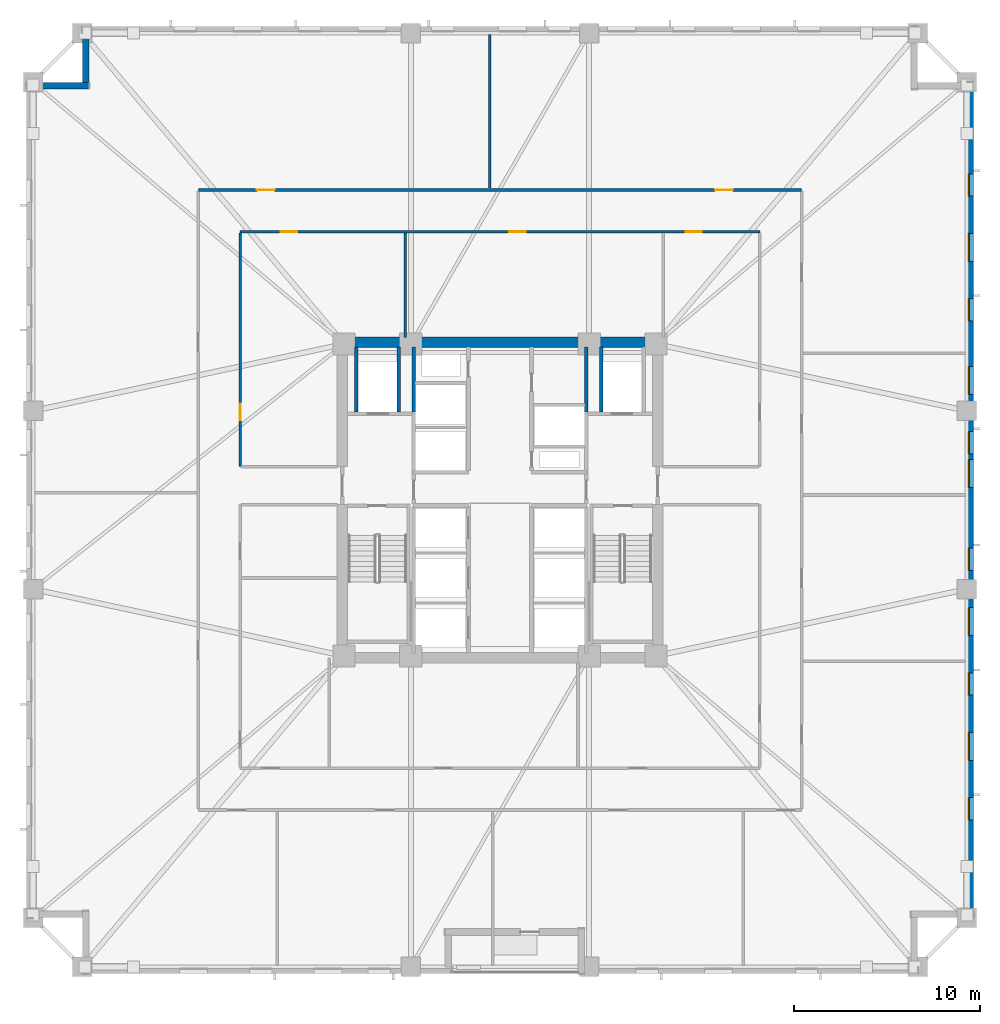
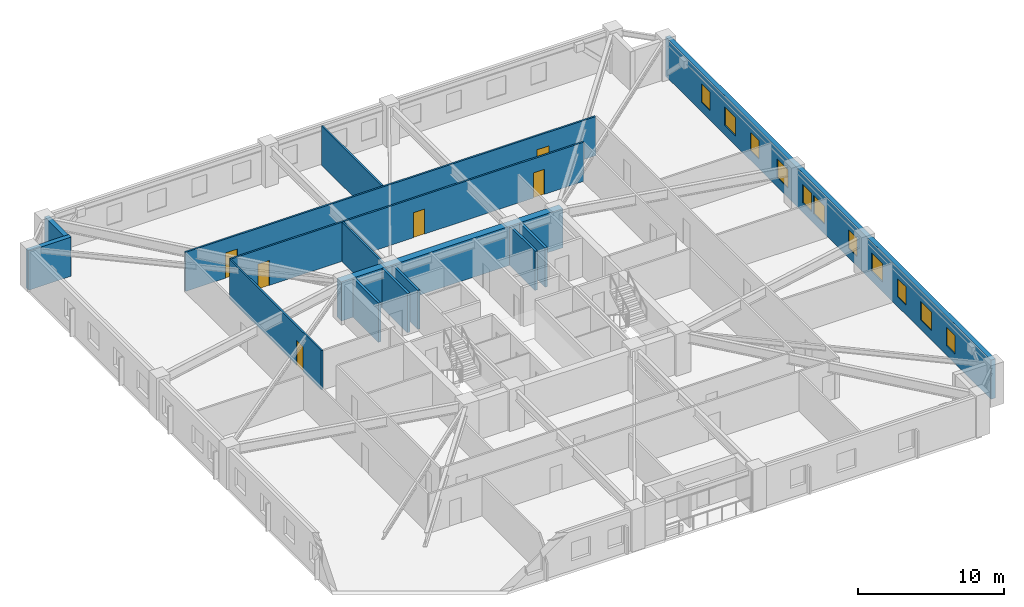
# One storey, part 5 of 11: 14 walls, 11 windows, 6 doors, 17 openings.
"""IFC4 building model written with IfcOpenShell, lengths in metres."""

from ifc_helpers import new_model, si_unit, direction, frame, frame_2d, origin, place, context, subcontext, project, spatial, rectangle, extrude, material, layer, layer_set, type_object, element, fill, save


model = new_model("IFC4")

# Units and contexts
model_context = context("Model", 3, precision=1e-05, world=origin(), true_north=direction((0.0, 1.0)))
body_context = subcontext(model_context, "Body", "Model", "MODEL_VIEW")
ifc_project = project(units=[si_unit("LENGTHUNIT", "METRE"), si_unit("AREAUNIT", "SQUARE_METRE"), si_unit("VOLUMEUNIT", "CUBIC_METRE"), si_unit("PLANEANGLEUNIT", "RADIAN"), si_unit("MASSUNIT", "GRAM", prefix="KILO")], contexts=[model_context])

# Site, building, storey
site_placement = place(None, origin())
site = spatial("IfcSite", under=ifc_project, at=site_placement, CompositionType="ELEMENT")
building_placement = place(site_placement, origin())
building = spatial("IfcBuilding", under=site, at=building_placement, Name="Cairnveth Concourse Tower", CompositionType="ELEMENT")
storey_placement = place(building_placement, frame((0.0, 0.0, 41.0)))
storey = spatial("IfcBuildingStorey", under=building, at=storey_placement, Name="L10", CompositionType="ELEMENT", Elevation=41.0)

# Walls
ifc_material_1 = material(Name="Concrete N80 (80 MPa)", Category="concrete")
ifc_layer_1 = layer(ifc_material_1, 0.550048828125)
ifc_layer_set_1 = layer_set([ifc_layer_1], Name="Concrete N80 (80 MPa)")
wall_type_1 = type_object("IfcWallType", Name="CORE SHEAR WALL 550", PredefinedType="SHEAR", material=ifc_layer_set_1)
wall_1_placement = place(storey_placement, frame((43.22509765625, 47.5, 0.0), z_axis=(0.0, 0.0, 1.0), x_axis=(1.0, 0.0, 0.0)))
element("IfcWall", 1, at=wall_1_placement, inside=storey, type_object=wall_type_1, Name="Core North Shear Wall L10", PredefinedType="SHEAR", context=body_context, shape_type="SweptSolid", body=[
    extrude(rectangle(XDim=17.5498046875, YDim=0.550048828125, at=frame_2d((8.77490234375, 0.0))), origin(), (0.0, 0.0, 1.0), 3.280029296875),
])
ifc_material_2 = material(Name="Concrete N50 (50 MPa)", Category="concrete")
ifc_layer_2 = layer(ifc_material_2, 0.179931640625)
ifc_layer_set_2 = layer_set([ifc_layer_2], Name="Concrete N50 (50 MPa)")
wall_type_2 = type_object("IfcWallType", Name="FIRE SHAFT WALL 180", PredefinedType="SOLIDWALL", material=ifc_layer_set_2)
for number, where, z_axis, x_axis, name in (
    (2, (47.35009765625, 43.735107421875, 0.0), (0.0, 0.0, 1.0), (0.0, 1.0, 0.0), "Interior Wall IW-L10-031"),
    (3, (56.64990234375, 43.735107421875, 0.0), (0.0, 0.0, 1.0), (0.0, 1.0, 0.0), "Interior Wall IW-L10-034"),
):
    element("IfcWall", number, at=place(storey_placement, frame(where, z_axis=z_axis, x_axis=x_axis)), inside=storey, type_object=wall_type_2, Name=name, PredefinedType="SOLIDWALL", context=body_context, shape_type="SweptSolid", body=[
        extrude(rectangle(XDim=3.5048828125, YDim=0.179931640625, at=frame_2d((1.75244140625, 0.0))), origin(), (0.0, 0.0, 1.0), 3.280029296875),
    ])
ifc_layer_3 = layer(ifc_material_2, 0.199951171875)
ifc_layer_set_3 = layer_set([ifc_layer_3], Name="Concrete N50 (50 MPa)")
wall_type_3 = type_object("IfcWallType", Name="FIRE SHAFT WALL 200", PredefinedType="SOLIDWALL", material=ifc_layer_set_3)
for number, where, z_axis, x_axis, name in (
    (4, (46.550048828125, 43.735107421875, 0.0), (0.0, 0.0, 1.0), (0.0, 1.0, 0.0), "Interior Wall IW-L10-018"),
    (5, (44.25, 43.735107421875, 0.0), (0.0, 0.0, 1.0), (0.0, 1.0, 0.0), "Interior Wall IW-L10-019"),
    (6, (57.449951171875, 43.735107421875, 0.0), (0.0, 0.0, 1.0), (0.0, 1.0, 0.0), "Interior Wall IW-L10-023"),
):
    element("IfcWall", number, at=place(storey_placement, frame(where, z_axis=z_axis, x_axis=x_axis)), inside=storey, type_object=wall_type_3, Name=name, PredefinedType="SOLIDWALL", context=body_context, shape_type="SweptSolid", body=[
        extrude(rectangle(XDim=3.5048828125, YDim=0.199951171875, at=frame_2d((1.75244140625, 0.0))), origin(), (0.0, 0.0, 1.0), 3.280029296875),
    ])

# Wall, openings, doors
ifc_material_3 = material(Name="Gypsum Plasterboard Partition", Category="gypsum")
ifc_layer_4 = layer(ifc_material_3, 0.139892578125)
ifc_layer_set_4 = layer_set([ifc_layer_4], Name="Gypsum Plasterboard Partition")
wall_type_4 = type_object("IfcWallType", Name="GYPSUM STUD PARTITION 140", PredefinedType="PARTITIONING", material=ifc_layer_set_4)
wall_2_placement = place(storey_placement, frame((35.75, 55.699951171875, 0.0), z_axis=(0.0, 0.0, 1.0), x_axis=(1.0, 0.0, 0.0)))
wall_2 = element("IfcWall", 7, at=wall_2_placement, inside=storey, type_object=wall_type_4, Name="Interior Wall IW-L10-038", PredefinedType="PARTITIONING", context=body_context, shape_type="SweptSolid", body=[
    extrude(rectangle(XDim=32.5, YDim=0.139892578125, at=frame_2d((16.25, 0.0))), origin(), (0.0, 0.0, 1.0), 3.280029296875),
])
opening_1_placement = place(wall_2_placement, frame((3.15380859375, 0.0, 0.0)))
opening_1 = element("IfcOpeningElement", 8, at=opening_1_placement, cuts=wall_2, Name="Opening ID11", PredefinedType="OPENING", context=body_context, shape_type="SweptSolid", body=[
    extrude(rectangle(XDim=0.9599609375, YDim=2.1201171875, at=frame_2d((0.47998046875, 1.06005859375))), frame((0.0, 0.079833984375, 0.0), z_axis=(0.0, -1.0, 0.0), x_axis=(1.0, 0.0, 0.0)), (0.0, 0.0, 1.0), 0.159912109375),
])
opening_2_placement = place(wall_2_placement, frame((27.833740234375, 0.0, 0.0)))
opening_2 = element("IfcOpeningElement", 9, at=opening_2_placement, cuts=wall_2, Name="Opening ID11", PredefinedType="OPENING", context=body_context, shape_type="SweptSolid", body=[
    extrude(rectangle(XDim=0.9599609375, YDim=2.1201171875, at=frame_2d((0.47998046875, 1.06005859375))), frame((0.0, 0.079833984375, 0.0), z_axis=(0.0, -1.0, 0.0), x_axis=(1.0, 0.0, 0.0)), (0.0, 0.0, 1.0), 0.159912109375),
])
ifc_material_4 = material(Name="Solid Core Hardwood Timber Leaf", Category="wood")
door_type_1 = type_object("IfcDoorType", Name="INTERIOR SINGLE DOOR 960X2150", OperationType="NOTDEFINED", PredefinedType="DOOR", material=ifc_material_4)
door_1_placement = place(opening_1_placement, origin())
door_1 = element("IfcDoor", 10, at=door_1_placement, inside=storey, type_object=door_type_1, Name="Office Door L10-N1", OperationType="SINGLE_SWING_RIGHT", OverallHeight=2.1201171875, OverallWidth=0.9599609375, PredefinedType="DOOR", context=body_context, shape_type="SweptSolid", body=[
    extrude(rectangle(XDim=0.9599609375, YDim=2.1201171875, at=frame_2d((0.47998046875, 1.06005859375))), frame((0.0, 0.02490234375, 0.0), z_axis=(0.0, -1.0, 0.0), x_axis=(1.0, 0.0, 0.0)), (0.0, 0.0, 1.0), 0.050048828125),
])
fill(opening_1, door_1)
door_2_placement = place(opening_2_placement, origin())
door_2 = element("IfcDoor", 11, at=door_2_placement, inside=storey, type_object=door_type_1, Name="Office Door L10-N2", OperationType="SINGLE_SWING_LEFT", OverallHeight=2.1201171875, OverallWidth=0.9599609375, PredefinedType="DOOR", context=body_context, shape_type="SweptSolid", body=[
    extrude(rectangle(XDim=0.9599609375, YDim=2.1201171875, at=frame_2d((0.47998046875, 1.06005859375))), frame((0.0, 0.02490234375, 0.0), z_axis=(0.0, -1.0, 0.0), x_axis=(1.0, 0.0, 0.0)), (0.0, 0.0, 1.0), 0.050048828125),
])
fill(opening_2, door_2)

wall_3_placement = place(storey_placement, frame((38.0, 53.449951171875, 0.0), z_axis=(0.0, 0.0, 1.0), x_axis=(1.0, 0.0, 0.0)))
wall_3 = element("IfcWall", 12, at=wall_3_placement, inside=storey, type_object=wall_type_4, Name="Interior Wall IW-L10-042", PredefinedType="PARTITIONING", context=body_context, shape_type="SweptSolid", body=[
    extrude(rectangle(XDim=28.0, YDim=0.139892578125, at=frame_2d((14.0, 0.0))), origin(), (0.0, 0.0, 1.0), 3.280029296875),
])
opening_3_placement = place(wall_3_placement, frame((2.199951171875, 0.0, 0.0)))
opening_3 = element("IfcOpeningElement", 13, at=opening_3_placement, cuts=wall_3, Name="Opening ID18", PredefinedType="OPENING", context=body_context, shape_type="SweptSolid", body=[
    extrude(rectangle(XDim=0.8798828125, YDim=2.10009765625, at=frame_2d((0.43994140625, 1.050048828125))), frame((0.0, 0.079833984375, 0.0), z_axis=(0.0, -1.0, 0.0), x_axis=(1.0, 0.0, 0.0)), (0.0, 0.0, 1.0), 0.159912109375),
])
opening_4_placement = place(wall_3_placement, frame((14.5, 0.0, 0.0)))
opening_4 = element("IfcOpeningElement", 14, at=opening_4_placement, cuts=wall_3, Name="Opening ID18", PredefinedType="OPENING", context=body_context, shape_type="SweptSolid", body=[
    extrude(rectangle(XDim=0.8798828125, YDim=2.10009765625, at=frame_2d((0.43994140625, 1.050048828125))), frame((0.0, 0.079833984375, 0.0), z_axis=(0.0, -1.0, 0.0), x_axis=(1.0, 0.0, 0.0)), (0.0, 0.0, 1.0), 0.159912109375),
])
opening_5_placement = place(wall_3_placement, frame((24.0, 0.0, 0.0)))
opening_5 = element("IfcOpeningElement", 15, at=opening_5_placement, cuts=wall_3, Name="Opening ID18", PredefinedType="OPENING", context=body_context, shape_type="SweptSolid", body=[
    extrude(rectangle(XDim=0.8798828125, YDim=2.10009765625, at=frame_2d((0.43994140625, 1.050048828125))), frame((0.0, 0.079833984375, 0.0), z_axis=(0.0, -1.0, 0.0), x_axis=(1.0, 0.0, 0.0)), (0.0, 0.0, 1.0), 0.159912109375),
])
door_type_2 = type_object("IfcDoorType", Name="INTERIOR SINGLE DOOR 880X2100", OperationType="NOTDEFINED", PredefinedType="DOOR", material=ifc_material_4)
door_3_placement = place(opening_3_placement, origin())
door_3 = element("IfcDoor", 16, at=door_3_placement, inside=storey, type_object=door_type_2, Name="Interior Door DR-L10-016", OperationType="SINGLE_SWING_RIGHT", OverallHeight=2.10009765625, OverallWidth=0.8798828125, PredefinedType="DOOR", context=body_context, shape_type="SweptSolid", body=[
    extrude(rectangle(XDim=0.8798828125, YDim=2.10009765625, at=frame_2d((0.43994140625, 1.050048828125))), frame((0.0, 0.02490234375, 0.0), z_axis=(0.0, -1.0, 0.0), x_axis=(1.0, 0.0, 0.0)), (0.0, 0.0, 1.0), 0.050048828125),
])
fill(opening_3, door_3)
door_4_placement = place(opening_4_placement, origin())
door_4 = element("IfcDoor", 17, at=door_4_placement, inside=storey, type_object=door_type_2, Name="Interior Door DR-L10-017", OperationType="SINGLE_SWING_LEFT", OverallHeight=2.10009765625, OverallWidth=0.8798828125, PredefinedType="DOOR", context=body_context, shape_type="SweptSolid", body=[
    extrude(rectangle(XDim=0.8798828125, YDim=2.10009765625, at=frame_2d((0.43994140625, 1.050048828125))), frame((0.0, 0.02490234375, 0.0), z_axis=(0.0, -1.0, 0.0), x_axis=(1.0, 0.0, 0.0)), (0.0, 0.0, 1.0), 0.050048828125),
])
fill(opening_4, door_4)
door_5_placement = place(opening_5_placement, origin())
door_5 = element("IfcDoor", 18, at=door_5_placement, inside=storey, type_object=door_type_2, Name="Interior Door DR-L10-018", OperationType="SINGLE_SWING_RIGHT", OverallHeight=2.10009765625, OverallWidth=0.8798828125, PredefinedType="DOOR", context=body_context, shape_type="SweptSolid", body=[
    extrude(rectangle(XDim=0.8798828125, YDim=2.10009765625, at=frame_2d((0.43994140625, 1.050048828125))), frame((0.0, 0.02490234375, 0.0), z_axis=(0.0, -1.0, 0.0), x_axis=(1.0, 0.0, 0.0)), (0.0, 0.0, 1.0), 0.050048828125),
])
fill(opening_5, door_5)

# Wall, opening, door
wall_4_placement = place(storey_placement, frame((38.0, 40.800048828125, 0.0), z_axis=(0.0, 0.0, 1.0), x_axis=(0.0, 1.0, 0.0)))
wall_4 = element("IfcWall", 19, at=wall_4_placement, inside=storey, type_object=wall_type_4, Name="Interior Wall IW-L10-044", PredefinedType="PARTITIONING", context=body_context, shape_type="SweptSolid", body=[
    extrude(rectangle(XDim=12.594970703125, YDim=0.139892578125, at=frame_2d((6.29736328125, 0.0))), origin(), (0.0, 0.0, 1.0), 3.280029296875),
])
opening_6_placement = place(wall_4_placement, frame((2.5, 0.0, 0.0)))
opening_6 = element("IfcOpeningElement", 20, at=opening_6_placement, cuts=wall_4, Name="Opening ID18", PredefinedType="OPENING", context=body_context, shape_type="SweptSolid", body=[
    extrude(rectangle(XDim=0.8798828125, YDim=2.10009765625, at=frame_2d((0.43994140625, 1.050048828125))), frame((0.0, 0.079833984375, 0.0), z_axis=(0.0, -1.0, 0.0), x_axis=(1.0, 0.0, 0.0)), (0.0, 0.0, 1.0), 0.159912109375),
])
door_6_placement = place(opening_6_placement, origin())
door_6 = element("IfcDoor", 21, at=door_6_placement, inside=storey, type_object=door_type_2, Name="Interior Door DR-L10-021", OperationType="SINGLE_SWING_LEFT", OverallHeight=2.10009765625, OverallWidth=0.8798828125, PredefinedType="DOOR", context=body_context, shape_type="SweptSolid", body=[
    extrude(rectangle(XDim=0.8798828125, YDim=2.10009765625, at=frame_2d((0.43994140625, 1.050048828125))), frame((0.0, 0.02490234375, 0.0), z_axis=(0.0, -1.0, 0.0), x_axis=(1.0, 0.0, 0.0)), (0.0, 0.0, 1.0), 0.050048828125),
])
fill(opening_6, door_6)

# Walls
wall_5_placement = place(storey_placement, frame((46.89990234375, 47.760009765625, 0.0), z_axis=(0.0, 0.0, 1.0), x_axis=(0.0, 1.0, 0.0)))
element("IfcWall", 22, at=wall_5_placement, inside=storey, type_object=wall_type_4, Name="Interior Wall IW-L10-053", PredefinedType="PARTITIONING", context=body_context, shape_type="SweptSolid", body=[
    extrude(rectangle(XDim=5.635009765625, YDim=0.139892578125, at=frame_2d((2.8173828125, 0.0))), origin(), (0.0, 0.0, 1.0), 3.280029296875),
])
wall_6_placement = place(storey_placement, frame((51.447509765625, 55.800048828125, 0.0), z_axis=(0.0, 0.0, 1.0), x_axis=(0.0, 1.0, 0.0)))
element("IfcWall", 23, at=wall_6_placement, inside=storey, type_object=wall_type_4, Name="Interior Wall IW-L10-059", PredefinedType="PARTITIONING", context=body_context, shape_type="SweptSolid", body=[
    extrude(rectangle(XDim=8.280029296875, YDim=0.139892578125, at=frame_2d((4.14013671875, 0.0))), origin(), (0.0, 0.0, 1.0), 3.280029296875),
])
ifc_material_5 = material(Name="Hawthorn Red-Ochre Fired Clay Brick Masonry", Category="masonry")
ifc_layer_5 = layer(ifc_material_5, 0.360107421875)
ifc_layer_set_5 = layer_set([ifc_layer_5], Name="Hawthorn Red-Ochre Fired Clay Brick Masonry")
wall_type_5 = type_object("IfcWallType", Name="ZONE 1 BRICK PIER SPANDREL WALL 360", PredefinedType="SOLIDWALL", material=ifc_layer_set_5)
wall_7_placement = place(storey_placement, frame((26.5, 61.320068359375, 0.0), z_axis=(0.0, 0.0, 1.0), x_axis=(1.0, 0.0, 0.0)))
element("IfcWall", 24, at=wall_7_placement, inside=storey, type_object=wall_type_5, Name="Exterior Wall EW-L10-S04", PredefinedType="SOLIDWALL", context=body_context, shape_type="SweptSolid", body=[
    extrude(rectangle(XDim=3.360107421875, YDim=0.360107421875, at=frame_2d((1.68017578125, 0.0))), origin(), (0.0, 0.0, 1.0), 3.280029296875),
])
wall_8_placement = place(storey_placement, frame((29.679931640625, 61.47802734375, 0.0), z_axis=(0.0, 0.0, 1.0), x_axis=(0.0, 1.0, 0.0)))
element("IfcWall", 25, at=wall_8_placement, inside=storey, type_object=wall_type_5, Name="Exterior Wall EW-L10-S05", PredefinedType="SOLIDWALL", context=body_context, shape_type="SweptSolid", body=[
    extrude(rectangle(XDim=2.68408203125, YDim=0.360107421875, at=frame_2d((1.342041015625, 0.0))), origin(), (0.0, 0.0, 1.0), 3.280029296875),
])

# Wall, openings, windows
wall_9_placement = place(storey_placement, frame((77.320068359375, 61.5, 0.0), z_axis=(0.0, 0.0, 1.0), x_axis=(0.0, -1.0, 0.0)))
wall_9 = element("IfcWall", 26, at=wall_9_placement, inside=storey, type_object=wall_type_5, Name="Exterior Wall EW-L10-S09", PredefinedType="SOLIDWALL", context=body_context, shape_type="SweptSolid", body=[
    extrude(rectangle(XDim=44.662109375, YDim=0.360107421875, at=frame_2d((22.3310546875, 0.0))), origin(), (0.0, 0.0, 1.0), 3.280029296875),
])
opening_7_placement = place(wall_9_placement, frame((4.93017578125, 0.0, 0.800048828125)))
opening_7 = element("IfcOpeningElement", 27, at=opening_7_placement, cuts=wall_9, Name="Opening W01", PredefinedType="OPENING", context=body_context, shape_type="SweptSolid", body=[
    extrude(rectangle(XDim=1.199951171875, YDim=1.5439453125, at=frame_2d((0.60009765625, 0.77197265625))), frame((0.0, 0.18994140625, 0.0), z_axis=(0.0, -1.0, 0.0), x_axis=(1.0, 0.0, 0.0)), (0.0, 0.0, 1.0), 0.380126953125),
])
opening_8_placement = place(wall_9_placement, frame((8.140380859375, 0.0, 0.800048828125)))
opening_8 = element("IfcOpeningElement", 28, at=opening_8_placement, cuts=wall_9, Name="Opening W03", PredefinedType="OPENING", context=body_context, shape_type="SweptSolid", body=[
    extrude(rectangle(XDim=1.5, YDim=1.5439453125, at=frame_2d((0.75, 0.77197265625))), frame((0.0, 0.18994140625, 0.0), z_axis=(0.0, -1.0, 0.0), x_axis=(1.0, 0.0, 0.0)), (0.0, 0.0, 1.0), 0.380126953125),
])
opening_9_placement = place(wall_9_placement, frame((11.650390625, 0.0, 0.800048828125)))
opening_9 = element("IfcOpeningElement", 29, at=opening_9_placement, cuts=wall_9, Name="Opening W01", PredefinedType="OPENING", context=body_context, shape_type="SweptSolid", body=[
    extrude(rectangle(XDim=1.199951171875, YDim=1.5439453125, at=frame_2d((0.60009765625, 0.77197265625))), frame((0.0, 0.18994140625, 0.0), z_axis=(0.0, -1.0, 0.0), x_axis=(1.0, 0.0, 0.0)), (0.0, 0.0, 1.0), 0.380126953125),
])
opening_10_placement = place(wall_9_placement, frame((15.310546875, 0.0, 0.800048828125)))
opening_10 = element("IfcOpeningElement", 30, at=opening_10_placement, cuts=wall_9, Name="Opening W03", PredefinedType="OPENING", context=body_context, shape_type="SweptSolid", body=[
    extrude(rectangle(XDim=1.5, YDim=1.5439453125, at=frame_2d((0.75, 0.77197265625))), frame((0.0, 0.18994140625, 0.0), z_axis=(0.0, -1.0, 0.0), x_axis=(1.0, 0.0, 0.0)), (0.0, 0.0, 1.0), 0.380126953125),
])
opening_11_placement = place(wall_9_placement, frame((18.82080078125, 0.0, 0.800048828125)))
opening_11 = element("IfcOpeningElement", 31, at=opening_11_placement, cuts=wall_9, Name="Opening W01", PredefinedType="OPENING", context=body_context, shape_type="SweptSolid", body=[
    extrude(rectangle(XDim=1.199951171875, YDim=1.5439453125, at=frame_2d((0.60009765625, 0.77197265625))), frame((0.0, 0.18994140625, 0.0), z_axis=(0.0, -1.0, 0.0), x_axis=(1.0, 0.0, 0.0)), (0.0, 0.0, 1.0), 0.380126953125),
])
opening_12_placement = place(wall_9_placement, frame((20.3310546875, 0.0, 0.800048828125)))
opening_12 = element("IfcOpeningElement", 32, at=opening_12_placement, cuts=wall_9, Name="Opening W03", PredefinedType="OPENING", context=body_context, shape_type="SweptSolid", body=[
    extrude(rectangle(XDim=1.5, YDim=1.5439453125, at=frame_2d((0.75, 0.77197265625))), frame((0.0, 0.18994140625, 0.0), z_axis=(0.0, -1.0, 0.0), x_axis=(1.0, 0.0, 0.0)), (0.0, 0.0, 1.0), 0.380126953125),
])
opening_13_placement = place(wall_9_placement, frame((25.09130859375, 0.0, 0.800048828125)))
opening_13 = element("IfcOpeningElement", 33, at=opening_13_placement, cuts=wall_9, Name="Opening W01", PredefinedType="OPENING", context=body_context, shape_type="SweptSolid", body=[
    extrude(rectangle(XDim=1.199951171875, YDim=1.5439453125, at=frame_2d((0.60009765625, 0.77197265625))), frame((0.0, 0.18994140625, 0.0), z_axis=(0.0, -1.0, 0.0), x_axis=(1.0, 0.0, 0.0)), (0.0, 0.0, 1.0), 0.380126953125),
])
opening_14_placement = place(wall_9_placement, frame((28.301513671875, 0.0, 0.800048828125)))
opening_14 = element("IfcOpeningElement", 34, at=opening_14_placement, cuts=wall_9, Name="Opening W03", PredefinedType="OPENING", context=body_context, shape_type="SweptSolid", body=[
    extrude(rectangle(XDim=1.5, YDim=1.5439453125, at=frame_2d((0.75, 0.77197265625))), frame((0.0, 0.18994140625, 0.0), z_axis=(0.0, -1.0, 0.0), x_axis=(1.0, 0.0, 0.0)), (0.0, 0.0, 1.0), 0.380126953125),
])
opening_15_placement = place(wall_9_placement, frame((31.8115234375, 0.0, 0.800048828125)))
opening_15 = element("IfcOpeningElement", 35, at=opening_15_placement, cuts=wall_9, Name="Opening W01", PredefinedType="OPENING", context=body_context, shape_type="SweptSolid", body=[
    extrude(rectangle(XDim=1.199951171875, YDim=1.5439453125, at=frame_2d((0.60009765625, 0.77197265625))), frame((0.0, 0.18994140625, 0.0), z_axis=(0.0, -1.0, 0.0), x_axis=(1.0, 0.0, 0.0)), (0.0, 0.0, 1.0), 0.380126953125),
])
opening_16_placement = place(wall_9_placement, frame((35.021728515625, 0.0, 0.800048828125)))
opening_16 = element("IfcOpeningElement", 36, at=opening_16_placement, cuts=wall_9, Name="Opening W03", PredefinedType="OPENING", context=body_context, shape_type="SweptSolid", body=[
    extrude(rectangle(XDim=1.5, YDim=1.5439453125, at=frame_2d((0.75, 0.77197265625))), frame((0.0, 0.18994140625, 0.0), z_axis=(0.0, -1.0, 0.0), x_axis=(1.0, 0.0, 0.0)), (0.0, 0.0, 1.0), 0.380126953125),
])
opening_17_placement = place(wall_9_placement, frame((38.531982421875, 0.0, 0.800048828125)))
opening_17 = element("IfcOpeningElement", 37, at=opening_17_placement, cuts=wall_9, Name="Opening W01", PredefinedType="OPENING", context=body_context, shape_type="SweptSolid", body=[
    extrude(rectangle(XDim=1.199951171875, YDim=1.5439453125, at=frame_2d((0.60009765625, 0.77197265625))), frame((0.0, 0.18994140625, 0.0), z_axis=(0.0, -1.0, 0.0), x_axis=(1.0, 0.0, 0.0)), (0.0, 0.0, 1.0), 0.380126953125),
])
ifc_material_6 = material(Name="Double Glazed Low-E Clear Glass", Category="glass")
window_type_1 = type_object("IfcWindowType", Name="DEEP-SET GOTHIC LANCET WINDOW 1200X1800", PartitioningType="DOUBLE_PANEL_VERTICAL", PredefinedType="WINDOW", material=ifc_material_6)
window_1_placement = place(opening_7_placement, origin())
window_1 = element("IfcWindow", 38, at=window_1_placement, inside=storey, type_object=window_type_1, Name="Gothic Lancet Window L10-9-1", OverallHeight=1.5439453125, OverallWidth=1.199951171875, PartitioningType="SINGLE_PANEL", PredefinedType="WINDOW", context=body_context, shape_type="SweptSolid", body=[
    extrude(rectangle(XDim=1.199951171875, YDim=1.5439453125, at=frame_2d((0.60009765625, 0.77197265625))), frame((0.0, -0.050048828125, 0.0), z_axis=(0.0, -1.0, 0.0), x_axis=(1.0, 0.0, 0.0)), (0.0, 0.0, 1.0), 0.06005859375),
])
fill(opening_7, window_1)
window_2_placement = place(opening_9_placement, origin())
window_2 = element("IfcWindow", 39, at=window_2_placement, inside=storey, type_object=window_type_1, Name="Gothic Lancet Window L10-9-3", OverallHeight=1.5439453125, OverallWidth=1.199951171875, PartitioningType="SINGLE_PANEL", PredefinedType="WINDOW", context=body_context, shape_type="SweptSolid", body=[
    extrude(rectangle(XDim=1.199951171875, YDim=1.5439453125, at=frame_2d((0.60009765625, 0.77197265625))), frame((0.0, -0.050048828125, 0.0), z_axis=(0.0, -1.0, 0.0), x_axis=(1.0, 0.0, 0.0)), (0.0, 0.0, 1.0), 0.06005859375),
])
fill(opening_9, window_2)
window_3_placement = place(opening_11_placement, origin())
window_3 = element("IfcWindow", 40, at=window_3_placement, inside=storey, type_object=window_type_1, Name="Gothic Lancet Window L10-9-5", OverallHeight=1.5439453125, OverallWidth=1.199951171875, PartitioningType="SINGLE_PANEL", PredefinedType="WINDOW", context=body_context, shape_type="SweptSolid", body=[
    extrude(rectangle(XDim=1.199951171875, YDim=1.5439453125, at=frame_2d((0.60009765625, 0.77197265625))), frame((0.0, -0.050048828125, 0.0), z_axis=(0.0, -1.0, 0.0), x_axis=(1.0, 0.0, 0.0)), (0.0, 0.0, 1.0), 0.06005859375),
])
fill(opening_11, window_3)
window_4_placement = place(opening_13_placement, origin())
window_4 = element("IfcWindow", 41, at=window_4_placement, inside=storey, type_object=window_type_1, Name="Gothic Lancet Window L10-9-7", OverallHeight=1.5439453125, OverallWidth=1.199951171875, PartitioningType="SINGLE_PANEL", PredefinedType="WINDOW", context=body_context, shape_type="SweptSolid", body=[
    extrude(rectangle(XDim=1.199951171875, YDim=1.5439453125, at=frame_2d((0.60009765625, 0.77197265625))), frame((0.0, -0.050048828125, 0.0), z_axis=(0.0, -1.0, 0.0), x_axis=(1.0, 0.0, 0.0)), (0.0, 0.0, 1.0), 0.06005859375),
])
fill(opening_13, window_4)
window_5_placement = place(opening_15_placement, origin())
window_5 = element("IfcWindow", 42, at=window_5_placement, inside=storey, type_object=window_type_1, Name="Gothic Lancet Window L10-9-9", OverallHeight=1.5439453125, OverallWidth=1.199951171875, PartitioningType="SINGLE_PANEL", PredefinedType="WINDOW", context=body_context, shape_type="SweptSolid", body=[
    extrude(rectangle(XDim=1.199951171875, YDim=1.5439453125, at=frame_2d((0.60009765625, 0.77197265625))), frame((0.0, -0.050048828125, 0.0), z_axis=(0.0, -1.0, 0.0), x_axis=(1.0, 0.0, 0.0)), (0.0, 0.0, 1.0), 0.06005859375),
])
fill(opening_15, window_5)
window_6_placement = place(opening_17_placement, origin())
window_6 = element("IfcWindow", 43, at=window_6_placement, inside=storey, type_object=window_type_1, Name="Gothic Lancet Window L10-9-11", OverallHeight=1.5439453125, OverallWidth=1.199951171875, PartitioningType="SINGLE_PANEL", PredefinedType="WINDOW", context=body_context, shape_type="SweptSolid", body=[
    extrude(rectangle(XDim=1.199951171875, YDim=1.5439453125, at=frame_2d((0.60009765625, 0.77197265625))), frame((0.0, -0.050048828125, 0.0), z_axis=(0.0, -1.0, 0.0), x_axis=(1.0, 0.0, 0.0)), (0.0, 0.0, 1.0), 0.06005859375),
])
fill(opening_17, window_6)
window_type_2 = type_object("IfcWindowType", Name="DEEP-SET GOTHIC LANCET WINDOW 1500X1800", PartitioningType="DOUBLE_PANEL_VERTICAL", PredefinedType="WINDOW", material=ifc_material_6)
window_7_placement = place(opening_8_placement, origin())
window_7 = element("IfcWindow", 44, at=window_7_placement, inside=storey, type_object=window_type_2, Name="Gothic Lancet Window L10-9-2", OverallHeight=1.5439453125, OverallWidth=1.5, PartitioningType="SINGLE_PANEL", PredefinedType="WINDOW", context=body_context, shape_type="SweptSolid", body=[
    extrude(rectangle(XDim=1.5, YDim=1.5439453125, at=frame_2d((0.75, 0.77197265625))), frame((0.0, -0.050048828125, 0.0), z_axis=(0.0, -1.0, 0.0), x_axis=(1.0, 0.0, 0.0)), (0.0, 0.0, 1.0), 0.06005859375),
])
fill(opening_8, window_7)
window_8_placement = place(opening_10_placement, origin())
window_8 = element("IfcWindow", 45, at=window_8_placement, inside=storey, type_object=window_type_2, Name="Gothic Lancet Window L10-9-4", OverallHeight=1.5439453125, OverallWidth=1.5, PartitioningType="SINGLE_PANEL", PredefinedType="WINDOW", context=body_context, shape_type="SweptSolid", body=[
    extrude(rectangle(XDim=1.5, YDim=1.5439453125, at=frame_2d((0.75, 0.77197265625))), frame((0.0, -0.050048828125, 0.0), z_axis=(0.0, -1.0, 0.0), x_axis=(1.0, 0.0, 0.0)), (0.0, 0.0, 1.0), 0.06005859375),
])
fill(opening_10, window_8)
window_9_placement = place(opening_12_placement, origin())
window_9 = element("IfcWindow", 46, at=window_9_placement, inside=storey, type_object=window_type_2, Name="Gothic Lancet Window L10-9-6", OverallHeight=1.5439453125, OverallWidth=1.5, PartitioningType="SINGLE_PANEL", PredefinedType="WINDOW", context=body_context, shape_type="SweptSolid", body=[
    extrude(rectangle(XDim=1.5, YDim=1.5439453125, at=frame_2d((0.75, 0.77197265625))), frame((0.0, -0.050048828125, 0.0), z_axis=(0.0, -1.0, 0.0), x_axis=(1.0, 0.0, 0.0)), (0.0, 0.0, 1.0), 0.06005859375),
])
fill(opening_12, window_9)
window_10_placement = place(opening_14_placement, origin())
window_10 = element("IfcWindow", 47, at=window_10_placement, inside=storey, type_object=window_type_2, Name="Gothic Lancet Window L10-9-8", OverallHeight=1.5439453125, OverallWidth=1.5, PartitioningType="SINGLE_PANEL", PredefinedType="WINDOW", context=body_context, shape_type="SweptSolid", body=[
    extrude(rectangle(XDim=1.5, YDim=1.5439453125, at=frame_2d((0.75, 0.77197265625))), frame((0.0, -0.050048828125, 0.0), z_axis=(0.0, -1.0, 0.0), x_axis=(1.0, 0.0, 0.0)), (0.0, 0.0, 1.0), 0.06005859375),
])
fill(opening_14, window_10)
window_11_placement = place(opening_16_placement, origin())
window_11 = element("IfcWindow", 48, at=window_11_placement, inside=storey, type_object=window_type_2, Name="Gothic Lancet Window L10-9-10", OverallHeight=1.5439453125, OverallWidth=1.5, PartitioningType="SINGLE_PANEL", PredefinedType="WINDOW", context=body_context, shape_type="SweptSolid", body=[
    extrude(rectangle(XDim=1.5, YDim=1.5439453125, at=frame_2d((0.75, 0.77197265625))), frame((0.0, -0.050048828125, 0.0), z_axis=(0.0, -1.0, 0.0), x_axis=(1.0, 0.0, 0.0)), (0.0, 0.0, 1.0), 0.06005859375),
])
fill(opening_16, window_11)

save(model, "model.ifc")
